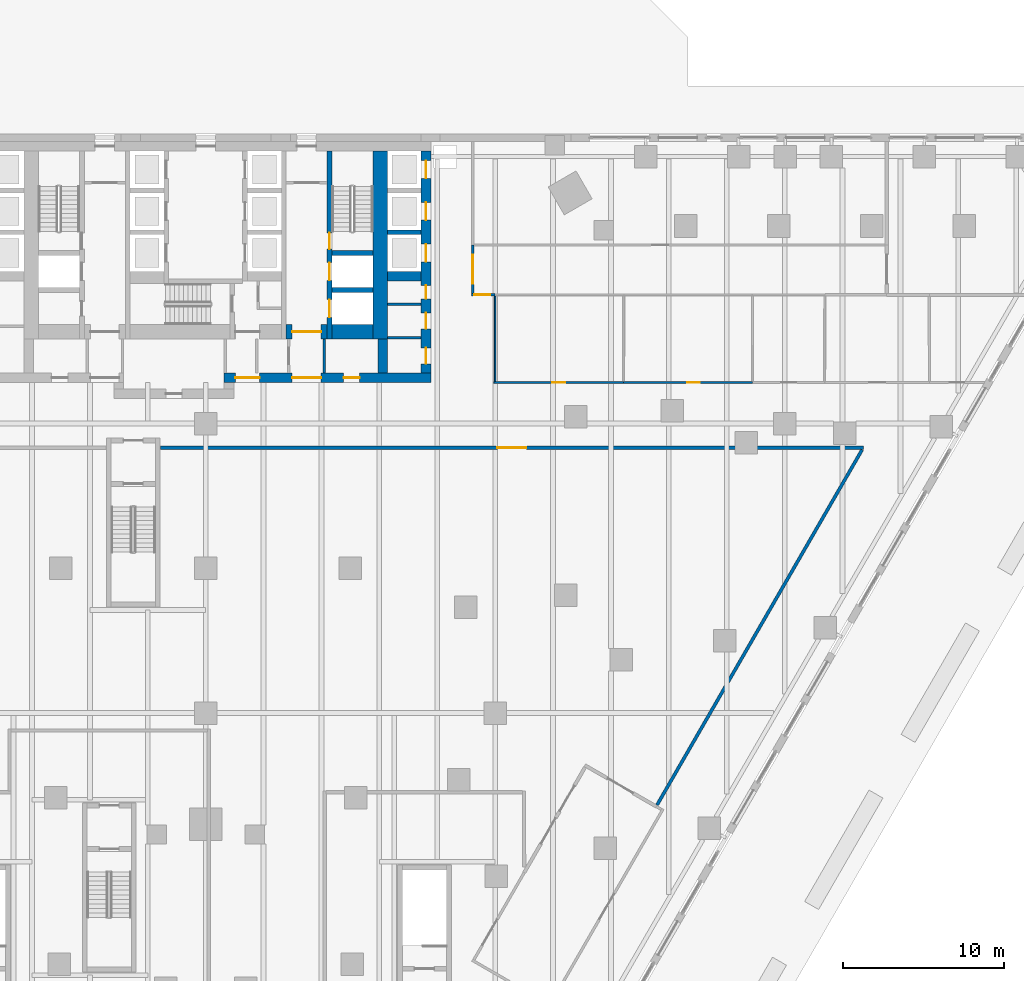
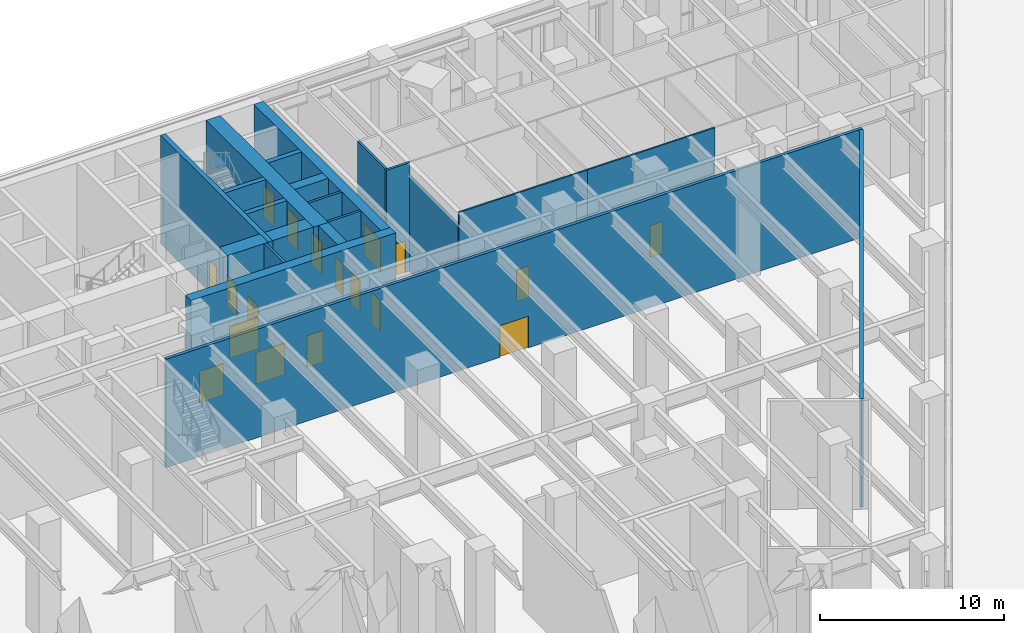
# One storey, part 31 of 37: 21 walls, 18 doors, 18 openings.
"""IFC4 building model written with IfcOpenShell, lengths in metres."""

from ifc_helpers import new_model, si_unit, direction, frame, frame_2d, origin, place, context, subcontext, project, spatial, rectangle, extrude, material, layer, layer_set, type_object, element, fill, save


model = new_model("IFC4")

# Units and contexts
model_context = context("Model", 3, precision=1e-05, world=origin(), true_north=direction((0.0, 1.0)))
body_context = subcontext(model_context, "Body", "Model", "MODEL_VIEW")
ifc_project = project(units=[si_unit("LENGTHUNIT", "METRE"), si_unit("AREAUNIT", "SQUARE_METRE"), si_unit("VOLUMEUNIT", "CUBIC_METRE"), si_unit("PLANEANGLEUNIT", "RADIAN"), si_unit("MASSUNIT", "GRAM", prefix="KILO")], contexts=[model_context])

# Site, building, storey
site_placement = place(None, origin())
site = spatial("IfcSite", under=ifc_project, at=site_placement, CompositionType="ELEMENT")
building_placement = place(site_placement, origin())
building = spatial("IfcBuilding", under=site, at=building_placement, Name="Aloe Facet Convention Tower", CompositionType="ELEMENT")
storey_placement = place(building_placement, origin())
storey = spatial("IfcBuildingStorey", under=building, at=storey_placement, Name="L00", CompositionType="ELEMENT", Elevation=0.0)

# Walls
ifc_material_1 = material(Name="Concrete blockwork partition", Category="masonry")
ifc_layer_1 = layer(ifc_material_1, 0.14990234375)
ifc_layer_set_1 = layer_set([ifc_layer_1], Name="CR-W-PART150")
wall_type_1 = type_object("IfcWallType", Name="CR-W-PART150", PredefinedType="PARTITIONING", material=ifc_layer_set_1)
wall_1_placement = place(storey_placement, frame((87.375, 122.25, 0.0), z_axis=(0.0, 0.0, 1.0), x_axis=(0.0, -1.0, 0.0)))
element("IfcWall", 1, at=wall_1_placement, inside=storey, type_object=wall_type_1, Name="Core partition L00-043", PredefinedType="PARTITIONING", context=body_context, shape_type="SweptSolid", body=[
    extrude(rectangle(XDim=2.10009765625, YDim=0.14990234375, at=frame_2d((1.050048828125, 0.0))), origin(), (0.0, 0.0, 1.0), 7.199951171875),
])
for number, where, z_axis, x_axis, name in (
    (2, (91.300048828125, 124.425048828125, 0.0), (0.0, 0.0, 1.0), (1.0, 0.0, 0.0), "Core partition L00-053"),
    (3, (91.300048828125, 122.346435546875, 0.0), (0.0, 0.0, 1.0), (1.0, 0.0, 0.0), "Core partition L00-054"),
):
    element("IfcWall", number, at=place(storey_placement, frame(where, z_axis=z_axis, x_axis=x_axis)), inside=storey, type_object=wall_type_1, Name=name, PredefinedType="PARTITIONING", context=body_context, shape_type="SweptSolid", body=[
        extrude(rectangle(XDim=2.099853515625, YDim=0.14990234375, at=frame_2d((1.0498046875, 0.0))), origin(), (0.0, 0.0, 1.0), 7.199951171875),
    ])

# Wall, openings, doors
ifc_material_2 = material(Name="Concrete C80/95", Category="concrete")
ifc_layer_2 = layer(ifc_material_2, 0.300048828125)
ifc_layer_set_2 = layer_set([ifc_layer_2], Name="CR-W-RC300-C8095")
wall_type_2 = type_object("IfcWallType", Name="CR-W-RC300-C8095", PredefinedType="SOLIDWALL", material=ifc_layer_set_2)
wall_2_placement = place(storey_placement, frame((87.699951171875, 133.949951171875, 0.0), z_axis=(0.0, 0.0, 1.0), x_axis=(0.0, -1.0, 0.0)))
wall_2 = element("IfcWall", 4, at=wall_2_placement, inside=storey, type_object=wall_type_2, Name="Core wall L00-044", PredefinedType="SOLIDWALL", context=body_context, shape_type="SweptSolid", body=[
    extrude(rectangle(XDim=11.699951171875, YDim=0.300048828125, at=frame_2d((5.85009765625, 0.0))), origin(), (0.0, 0.0, 1.0), 7.199951171875),
])
opening_1_placement = place(wall_2_placement, frame((6.949951171875, 0.0, 0.0)))
opening_1 = element("IfcOpeningElement", 5, at=opening_1_placement, cuts=wall_2, Name="Opening LD-FF2-L00", PredefinedType="OPENING", context=body_context, shape_type="SweptSolid", body=[
    extrude(rectangle(XDim=1.10009765625, YDim=2.10009765625, at=frame_2d((0.550048828125, 1.050048828125))), frame((0.0, 0.16015625, 0.0), z_axis=(0.0, -1.0, 0.0), x_axis=(1.0, 0.0, 0.0)), (0.0, 0.0, 1.0), 0.320068359375),
])
opening_2_placement = place(wall_2_placement, frame((5.10009765625, 0.0, 0.0)))
opening_2 = element("IfcOpeningElement", 6, at=opening_2_placement, cuts=wall_2, Name="Opening L00-CD33", PredefinedType="OPENING", context=body_context, shape_type="SweptSolid", body=[
    extrude(rectangle(XDim=1.0, YDim=2.10009765625, at=frame_2d((0.5, 1.050048828125))), frame((0.0, 0.16015625, 0.0), z_axis=(0.0, -1.0, 0.0), x_axis=(1.0, 0.0, 0.0)), (0.0, 0.0, 1.0), 0.320068359375),
])
opening_3_placement = place(wall_2_placement, frame((9.25, 0.0, 0.0)))
opening_3 = element("IfcOpeningElement", 7, at=opening_3_placement, cuts=wall_2, Name="Opening LD-SV1-L00", PredefinedType="OPENING", context=body_context, shape_type="SweptSolid", body=[
    extrude(rectangle(XDim=1.10009765625, YDim=2.10009765625, at=frame_2d((0.550048828125, 1.050048828125))), frame((0.0, 0.16015625, 0.0), z_axis=(0.0, -1.0, 0.0), x_axis=(1.0, 0.0, 0.0)), (0.0, 0.0, 1.0), 0.320068359375),
])
ifc_material_3 = material(Name="Steel fire-resisting door set FD120", Category="steel")
door_type_1 = type_object("IfcDoorType", Name="CR-D-STAIR-1000-FD120-SLEFT", OperationType="SINGLE_SWING_LEFT", PredefinedType="DOOR", material=ifc_material_3)
door_1_placement = place(opening_2_placement, origin())
door_1 = element("IfcDoor", 8, at=door_1_placement, inside=storey, type_object=door_type_1, Name="Core door L00-CD33", OperationType="SINGLE_SWING_LEFT", OverallHeight=2.10009765625, OverallWidth=1.0, PredefinedType="DOOR", context=body_context, shape_type="SweptSolid", body=[
    extrude(rectangle(XDim=1.0, YDim=2.10009765625, at=frame_2d((0.5, 1.050048828125))), frame((0.0, 0.02490234375, 0.0), z_axis=(0.0, -1.0, 0.0), x_axis=(1.0, 0.0, 0.0)), (0.0, 0.0, 1.0), 0.050048828125),
])
fill(opening_2, door_1)
ifc_material_4 = material(Name="Stainless steel sliding landing door", Category="steel")
door_type_2 = type_object("IfcDoorType", Name="CR-LD-1100-FD120-_LEFT", OperationType="SLIDING_TO_LEFT", PredefinedType="DOOR", material=ifc_material_4)
door_2_placement = place(opening_1_placement, origin())
door_2 = element("IfcDoor", 9, at=door_2_placement, inside=storey, type_object=door_type_2, Name="Landing door FF2 L00", OperationType="SLIDING_TO_LEFT", OverallHeight=2.10009765625, OverallWidth=1.10009765625, PredefinedType="DOOR", context=body_context, shape_type="SweptSolid", body=[
    extrude(rectangle(XDim=1.10009765625, YDim=2.10009765625, at=frame_2d((0.550048828125, 1.050048828125))), frame((0.0, 0.02490234375, 0.0), z_axis=(0.0, -1.0, 0.0), x_axis=(1.0, 0.0, 0.0)), (0.0, 0.0, 1.0), 0.050048828125),
])
fill(opening_1, door_2)
door_3_placement = place(opening_3_placement, origin())
door_3 = element("IfcDoor", 10, at=door_3_placement, inside=storey, type_object=door_type_2, Name="Landing door SV1 L00", OperationType="SLIDING_TO_LEFT", OverallHeight=2.10009765625, OverallWidth=1.10009765625, PredefinedType="DOOR", context=body_context, shape_type="SweptSolid", body=[
    extrude(rectangle(XDim=1.10009765625, YDim=2.10009765625, at=frame_2d((0.550048828125, 1.050048828125))), frame((0.0, 0.02490234375, 0.0), z_axis=(0.0, -1.0, 0.0), x_axis=(1.0, 0.0, 0.0)), (0.0, 0.0, 1.0), 0.050048828125),
])
fill(opening_3, door_3)

# Walls
for number, where, z_axis, x_axis, name in (
    (11, (87.85009765625, 127.60009765625, 0.0), (0.0, 0.0, 1.0), (1.0, 0.0, 0.0), "Core wall L00-045"),
    (12, (87.85009765625, 125.300048828125, 0.0), (0.0, 0.0, 1.0), (1.0, 0.0, 0.0), "Core wall L00-046"),
):
    element("IfcWall", number, at=place(storey_placement, frame(where, z_axis=z_axis, x_axis=x_axis)), inside=storey, type_object=wall_type_2, Name=name, PredefinedType="SOLIDWALL", context=body_context, shape_type="SweptSolid", body=[
        extrude(rectangle(XDim=2.5498046875, YDim=0.300048828125, at=frame_2d((1.27490234375, 0.0))), origin(), (0.0, 0.0, 1.0), 7.199951171875),
    ])
wall_3_placement = place(storey_placement, frame((91.300048828125, 128.89990234375, 0.0), z_axis=(0.0, 0.0, 1.0), x_axis=(1.0, 0.0, 0.0)))
element("IfcWall", 13, at=wall_3_placement, inside=storey, type_object=wall_type_2, Name="Core wall L00-051", PredefinedType="SOLIDWALL", context=body_context, shape_type="SweptSolid", body=[
    extrude(rectangle(XDim=2.099853515625, YDim=0.300048828125, at=frame_2d((1.0498046875, 0.0))), origin(), (0.0, 0.0, 1.0), 7.199951171875),
])

# Wall, openings, doors
ifc_material_5 = material(Name="Concrete C80/95", Category="concrete")
ifc_layer_3 = layer(ifc_material_5, 0.60009765625)
ifc_layer_set_3 = layer_set([ifc_layer_3], Name="CR-W-RC600-C8095")
wall_type_3 = type_object("IfcWallType", Name="CR-W-RC600-C8095", PredefinedType="SOLIDWALL", material=ifc_layer_set_3)
wall_4_placement = place(storey_placement, frame((81.14990234375, 119.85009765625, 0.0), z_axis=(0.0, 0.0, 1.0), x_axis=(1.0, 0.0, 0.0)))
wall_4 = element("IfcWall", 14, at=wall_4_placement, inside=storey, type_object=wall_type_3, Name="Core wall L00-028", PredefinedType="SOLIDWALL", context=body_context, shape_type="SweptSolid", body=[
    extrude(rectangle(XDim=12.85009765625, YDim=0.60009765625, at=frame_2d((6.425048828125, 0.0))), origin(), (0.0, 0.0, 1.0), 7.199951171875),
])
opening_4_placement = place(wall_4_placement, frame((0.699951171875, 0.0, 0.0)))
opening_4 = element("IfcOpeningElement", 15, at=opening_4_placement, cuts=wall_4, Name="Opening L00-CD18", PredefinedType="OPENING", context=body_context, shape_type="SweptSolid", body=[
    extrude(rectangle(XDim=1.5, YDim=2.10009765625, at=frame_2d((0.75, 1.050048828125))), frame((0.0, 0.31005859375, 0.0), z_axis=(0.0, -1.0, 0.0), x_axis=(1.0, 0.0, 0.0)), (0.0, 0.0, 1.0), 0.6201171875),
])
opening_5_placement = place(wall_4_placement, frame((4.22509765625, 0.0, 0.0)))
opening_5 = element("IfcOpeningElement", 16, at=opening_5_placement, cuts=wall_4, Name="Opening L00-CD19", PredefinedType="OPENING", context=body_context, shape_type="SweptSolid", body=[
    extrude(rectangle(XDim=1.800048828125, YDim=2.10009765625, at=frame_2d((0.89990234375, 1.050048828125))), frame((0.0, 0.31005859375, 0.0), z_axis=(0.0, -1.0, 0.0), x_axis=(1.0, 0.0, 0.0)), (0.0, 0.0, 1.0), 0.6201171875),
])
opening_6_placement = place(wall_4_placement, frame((7.425048828125, 0.0, 0.0)))
opening_6 = element("IfcOpeningElement", 17, at=opening_6_placement, cuts=wall_4, Name="Opening L00-CD27", PredefinedType="OPENING", context=body_context, shape_type="SweptSolid", body=[
    extrude(rectangle(XDim=1.0, YDim=2.10009765625, at=frame_2d((0.5, 1.050048828125))), frame((0.0, 0.31005859375, 0.0), z_axis=(0.0, -1.0, 0.0), x_axis=(1.0, 0.0, 0.0)), (0.0, 0.0, 1.0), 0.6201171875),
])
ifc_material_6 = material(Name="Steel fire-resisting door set FD60", Category="steel")
door_type_3 = type_object("IfcDoorType", Name="CR-D-EXIT-1500-FD60-DD", OperationType="DOUBLE_DOOR_DOUBLE_SWING", PredefinedType="DOOR", material=ifc_material_6)
door_4_placement = place(opening_4_placement, origin())
door_4 = element("IfcDoor", 18, at=door_4_placement, inside=storey, type_object=door_type_3, Name="Core door L00-CD18", OperationType="DOUBLE_DOOR_DOUBLE_SWING", OverallHeight=2.10009765625, OverallWidth=1.5, PredefinedType="DOOR", context=body_context, shape_type="SweptSolid", body=[
    extrude(rectangle(XDim=1.5, YDim=2.10009765625, at=frame_2d((0.75, 1.050048828125))), frame((0.0, 0.02490234375, 0.0), z_axis=(0.0, -1.0, 0.0), x_axis=(1.0, 0.0, 0.0)), (0.0, 0.0, 1.0), 0.050048828125),
])
fill(opening_4, door_4)
ifc_material_7 = material(Name="Steel fire-resisting door set FD60", Category="steel")
door_type_4 = type_object("IfcDoorType", Name="CR-D-EXIT-1800-FD60-DD", OperationType="DOUBLE_DOOR_DOUBLE_SWING", PredefinedType="DOOR", material=ifc_material_7)
door_5_placement = place(opening_5_placement, origin())
door_5 = element("IfcDoor", 19, at=door_5_placement, inside=storey, type_object=door_type_4, Name="Core door L00-CD19", OperationType="DOUBLE_DOOR_DOUBLE_SWING", OverallHeight=2.10009765625, OverallWidth=1.800048828125, PredefinedType="DOOR", context=body_context, shape_type="SweptSolid", body=[
    extrude(rectangle(XDim=1.800048828125, YDim=2.10009765625, at=frame_2d((0.89990234375, 1.050048828125))), frame((0.0, 0.02490234375, 0.0), z_axis=(0.0, -1.0, 0.0), x_axis=(1.0, 0.0, 0.0)), (0.0, 0.0, 1.0), 0.050048828125),
])
fill(opening_5, door_5)
ifc_material_8 = material(Name="Steel fire-resisting door set FD60", Category="steel")
door_type_5 = type_object("IfcDoorType", Name="CR-D-ROOM-1000-FD60-SRIGHT", OperationType="SINGLE_SWING_RIGHT", PredefinedType="DOOR", material=ifc_material_8)
door_6_placement = place(opening_6_placement, origin())
door_6 = element("IfcDoor", 20, at=door_6_placement, inside=storey, type_object=door_type_5, Name="Core door L00-CD27", OperationType="SINGLE_SWING_RIGHT", OverallHeight=2.10009765625, OverallWidth=1.0, PredefinedType="DOOR", context=body_context, shape_type="SweptSolid", body=[
    extrude(rectangle(XDim=1.0, YDim=2.10009765625, at=frame_2d((0.5, 1.050048828125))), frame((0.0, 0.02490234375, 0.0), z_axis=(0.0, -1.0, 0.0), x_axis=(1.0, 0.0, 0.0)), (0.0, 0.0, 1.0), 0.050048828125),
])
fill(opening_6, door_6)

# Walls
wall_5_placement = place(storey_placement, frame((91.0, 122.25, 0.0), z_axis=(0.0, 0.0, 1.0), x_axis=(0.0, -1.0, 0.0)))
element("IfcWall", 21, at=wall_5_placement, inside=storey, type_object=wall_type_3, Name="Core wall L00-049", PredefinedType="SOLIDWALL", context=body_context, shape_type="SweptSolid", body=[
    extrude(rectangle(XDim=2.10009765625, YDim=0.60009765625, at=frame_2d((1.050048828125, 0.0))), origin(), (0.0, 0.0, 1.0), 7.199951171875),
])
wall_6_placement = place(storey_placement, frame((91.300048828125, 126.14990234375, 0.0), z_axis=(0.0, 0.0, 1.0), x_axis=(1.0, 0.0, 0.0)))
element("IfcWall", 22, at=wall_6_placement, inside=storey, type_object=wall_type_3, Name="Core wall L00-052", PredefinedType="SOLIDWALL", context=body_context, shape_type="SweptSolid", body=[
    extrude(rectangle(XDim=2.099853515625, YDim=0.60009765625, at=frame_2d((1.0498046875, 0.0))), origin(), (0.0, 0.0, 1.0), 7.199951171875),
])

# Wall, openings, doors
wall_7_placement = place(storey_placement, frame((93.699951171875, 133.949951171875, 0.0), z_axis=(0.0, 0.0, 1.0), x_axis=(0.0, -1.0, 0.0)))
wall_7 = element("IfcWall", 23, at=wall_7_placement, inside=storey, type_object=wall_type_3, Name="Core wall L00-055", PredefinedType="SOLIDWALL", context=body_context, shape_type="SweptSolid", body=[
    extrude(rectangle(XDim=13.800048828125, YDim=0.60009765625, at=frame_2d((6.89990234375, 0.0))), origin(), (0.0, 0.0, 1.0), 7.199951171875),
])
opening_7_placement = place(wall_7_placement, frame((0.60009765625, 0.0, 0.0)))
opening_7 = element("IfcOpeningElement", 24, at=opening_7_placement, cuts=wall_7, Name="Opening LD-A8-L00", PredefinedType="OPENING", context=body_context, shape_type="SweptSolid", body=[
    extrude(rectangle(XDim=1.10009765625, YDim=2.10009765625, at=frame_2d((0.550048828125, 1.050048828125))), frame((0.0, 0.31005859375, 0.0), z_axis=(0.0, -1.0, 0.0), x_axis=(1.0, 0.0, 0.0)), (0.0, 0.0, 1.0), 0.6201171875),
])
opening_8_placement = place(wall_7_placement, frame((10.064208984375, 0.0, 0.0)))
opening_8 = element("IfcOpeningElement", 25, at=opening_8_placement, cuts=wall_7, Name="Opening L00-CD09", PredefinedType="OPENING", context=body_context, shape_type="SweptSolid", body=[
    extrude(rectangle(XDim=1.0, YDim=2.10009765625, at=frame_2d((0.5, 1.050048828125))), frame((0.0, 0.31005859375, 0.0), z_axis=(0.0, -1.0, 0.0), x_axis=(1.0, 0.0, 0.0)), (0.0, 0.0, 1.0), 0.6201171875),
])
opening_9_placement = place(wall_7_placement, frame((8.35009765625, 0.0, 0.0)))
opening_9 = element("IfcOpeningElement", 26, at=opening_9_placement, cuts=wall_7, Name="Opening L00-CD10", PredefinedType="OPENING", context=body_context, shape_type="SweptSolid", body=[
    extrude(rectangle(XDim=0.85009765625, YDim=2.10009765625, at=frame_2d((0.425048828125, 1.050048828125))), frame((0.0, 0.31005859375, 0.0), z_axis=(0.0, -1.0, 0.0), x_axis=(1.0, 0.0, 0.0)), (0.0, 0.0, 1.0), 0.6201171875),
])
opening_10_placement = place(wall_7_placement, frame((12.2392578125, 0.0, 0.0)))
opening_10 = element("IfcOpeningElement", 27, at=opening_10_placement, cuts=wall_7, Name="Opening L00-CD11", PredefinedType="OPENING", context=body_context, shape_type="SweptSolid", body=[
    extrude(rectangle(XDim=1.0, YDim=2.10009765625, at=frame_2d((0.5, 1.050048828125))), frame((0.0, 0.31005859375, 0.0), z_axis=(0.0, -1.0, 0.0), x_axis=(1.0, 0.0, 0.0)), (0.0, 0.0, 1.0), 0.6201171875),
])
opening_11_placement = place(wall_7_placement, frame((3.199951171875, 0.0, 0.0)))
opening_11 = element("IfcOpeningElement", 28, at=opening_11_placement, cuts=wall_7, Name="Opening LD-SH3-L00", PredefinedType="OPENING", context=body_context, shape_type="SweptSolid", body=[
    extrude(rectangle(XDim=1.10009765625, YDim=2.10009765625, at=frame_2d((0.550048828125, 1.050048828125))), frame((0.0, 0.31005859375, 0.0), z_axis=(0.0, -1.0, 0.0), x_axis=(1.0, 0.0, 0.0)), (0.0, 0.0, 1.0), 0.6201171875),
])
opening_12_placement = place(wall_7_placement, frame((5.800048828125, 0.0, 0.0)))
opening_12 = element("IfcOpeningElement", 29, at=opening_12_placement, cuts=wall_7, Name="Opening LD-SH4-L00", PredefinedType="OPENING", context=body_context, shape_type="SweptSolid", body=[
    extrude(rectangle(XDim=1.10009765625, YDim=2.10009765625, at=frame_2d((0.550048828125, 1.050048828125))), frame((0.0, 0.31005859375, 0.0), z_axis=(0.0, -1.0, 0.0), x_axis=(1.0, 0.0, 0.0)), (0.0, 0.0, 1.0), 0.6201171875),
])
ifc_material_9 = material(Name="Steel fire-resisting door set FD60", Category="steel")
door_type_6 = type_object("IfcDoorType", Name="CR-D-ROOM-1000-FD60-SLEFT", OperationType="SINGLE_SWING_LEFT", PredefinedType="DOOR", material=ifc_material_9)
door_7_placement = place(opening_8_placement, origin())
door_7 = element("IfcDoor", 30, at=door_7_placement, inside=storey, type_object=door_type_6, Name="Core door L00-CD09", OperationType="SINGLE_SWING_LEFT", OverallHeight=2.10009765625, OverallWidth=1.0, PredefinedType="DOOR", context=body_context, shape_type="SweptSolid", body=[
    extrude(rectangle(XDim=1.0, YDim=2.10009765625, at=frame_2d((0.5, 1.050048828125))), frame((0.0, 0.02490234375, 0.0), z_axis=(0.0, -1.0, 0.0), x_axis=(1.0, 0.0, 0.0)), (0.0, 0.0, 1.0), 0.050048828125),
])
fill(opening_8, door_7)
door_8_placement = place(opening_10_placement, origin())
door_8 = element("IfcDoor", 31, at=door_8_placement, inside=storey, type_object=door_type_6, Name="Core door L00-CD11", OperationType="SINGLE_SWING_LEFT", OverallHeight=2.10009765625, OverallWidth=1.0, PredefinedType="DOOR", context=body_context, shape_type="SweptSolid", body=[
    extrude(rectangle(XDim=1.0, YDim=2.10009765625, at=frame_2d((0.5, 1.050048828125))), frame((0.0, 0.02490234375, 0.0), z_axis=(0.0, -1.0, 0.0), x_axis=(1.0, 0.0, 0.0)), (0.0, 0.0, 1.0), 0.050048828125),
])
fill(opening_10, door_8)
ifc_material_10 = material(Name="Steel fire-resisting door set FD60", Category="steel")
door_type_7 = type_object("IfcDoorType", Name="CR-D-ROOM-850-FD60-SLEFT", OperationType="SINGLE_SWING_LEFT", PredefinedType="DOOR", material=ifc_material_10)
door_9_placement = place(opening_9_placement, origin())
door_9 = element("IfcDoor", 32, at=door_9_placement, inside=storey, type_object=door_type_7, Name="Core door L00-CD10", OperationType="SINGLE_SWING_LEFT", OverallHeight=2.10009765625, OverallWidth=0.85009765625, PredefinedType="DOOR", context=body_context, shape_type="SweptSolid", body=[
    extrude(rectangle(XDim=0.85009765625, YDim=2.10009765625, at=frame_2d((0.425048828125, 1.050048828125))), frame((0.0, 0.02490234375, 0.0), z_axis=(0.0, -1.0, 0.0), x_axis=(1.0, 0.0, 0.0)), (0.0, 0.0, 1.0), 0.050048828125),
])
fill(opening_9, door_9)
ifc_material_11 = material(Name="Stainless steel sliding landing door", Category="steel")
door_type_8 = type_object("IfcDoorType", Name="CR-LD-1100-FD60-_LEFT", OperationType="SLIDING_TO_LEFT", PredefinedType="DOOR", material=ifc_material_11)
door_10_placement = place(opening_7_placement, origin())
door_10 = element("IfcDoor", 33, at=door_10_placement, inside=storey, type_object=door_type_8, Name="Landing door A8 L00", OperationType="SLIDING_TO_LEFT", OverallHeight=2.10009765625, OverallWidth=1.10009765625, PredefinedType="DOOR", context=body_context, shape_type="SweptSolid", body=[
    extrude(rectangle(XDim=1.10009765625, YDim=2.10009765625, at=frame_2d((0.550048828125, 1.050048828125))), frame((0.0, 0.02490234375, 0.0), z_axis=(0.0, -1.0, 0.0), x_axis=(1.0, 0.0, 0.0)), (0.0, 0.0, 1.0), 0.050048828125),
])
fill(opening_7, door_10)
door_11_placement = place(opening_11_placement, origin())
door_11 = element("IfcDoor", 34, at=door_11_placement, inside=storey, type_object=door_type_8, Name="Landing door SH3 L00", OperationType="SLIDING_TO_LEFT", OverallHeight=2.10009765625, OverallWidth=1.10009765625, PredefinedType="DOOR", context=body_context, shape_type="SweptSolid", body=[
    extrude(rectangle(XDim=1.10009765625, YDim=2.10009765625, at=frame_2d((0.550048828125, 1.050048828125))), frame((0.0, 0.02490234375, 0.0), z_axis=(0.0, -1.0, 0.0), x_axis=(1.0, 0.0, 0.0)), (0.0, 0.0, 1.0), 0.050048828125),
])
fill(opening_11, door_11)
door_12_placement = place(opening_12_placement, origin())
door_12 = element("IfcDoor", 35, at=door_12_placement, inside=storey, type_object=door_type_8, Name="Landing door SH4 L00", OperationType="SLIDING_TO_LEFT", OverallHeight=2.10009765625, OverallWidth=1.10009765625, PredefinedType="DOOR", context=body_context, shape_type="SweptSolid", body=[
    extrude(rectangle(XDim=1.10009765625, YDim=2.10009765625, at=frame_2d((0.550048828125, 1.050048828125))), frame((0.0, 0.02490234375, 0.0), z_axis=(0.0, -1.0, 0.0), x_axis=(1.0, 0.0, 0.0)), (0.0, 0.0, 1.0), 0.050048828125),
])
fill(opening_12, door_12)

# Wall, opening, door
ifc_material_12 = material(Name="Concrete C80/95", Category="concrete")
ifc_layer_4 = layer(ifc_material_12, 0.89990234375)
ifc_layer_set_4 = layer_set([ifc_layer_4], Name="CR-W-RC900-C8095")
wall_type_4 = type_object("IfcWallType", Name="CR-W-RC900-C8095", PredefinedType="SOLIDWALL", material=ifc_layer_set_4)
wall_8_placement = place(storey_placement, frame((85.0, 122.699951171875, 0.0), z_axis=(0.0, 0.0, 1.0), x_axis=(1.0, 0.0, 0.0)))
wall_8 = element("IfcWall", 36, at=wall_8_placement, inside=storey, type_object=wall_type_4, Name="Core wall L00-041", PredefinedType="SOLIDWALL", context=body_context, shape_type="SweptSolid", body=[
    extrude(rectangle(XDim=2.550048828125, YDim=0.89990234375, at=frame_2d((1.27490234375, 0.0))), origin(), (0.0, 0.0, 1.0), 7.199951171875),
])
opening_13_placement = place(wall_8_placement, frame((0.375, 0.0, 0.0)))
opening_13 = element("IfcOpeningElement", 37, at=opening_13_placement, cuts=wall_8, Name="Opening L00-CD14", PredefinedType="OPENING", context=body_context, shape_type="SweptSolid", body=[
    extrude(rectangle(XDim=1.800048828125, YDim=2.10009765625, at=frame_2d((0.89990234375, 1.050048828125))), frame((0.0, 0.4599609375, 0.0), z_axis=(0.0, -1.0, 0.0), x_axis=(1.0, 0.0, 0.0)), (0.0, 0.0, 1.0), 0.919921875),
])
ifc_material_13 = material(Name="Steel fire-resisting door set FD120", Category="steel")
door_type_9 = type_object("IfcDoorType", Name="CR-D-EXIT-1800-FD120-DD", OperationType="DOUBLE_DOOR_DOUBLE_SWING", PredefinedType="DOOR", material=ifc_material_13)
door_13_placement = place(opening_13_placement, origin())
door_13 = element("IfcDoor", 38, at=door_13_placement, inside=storey, type_object=door_type_9, Name="Core door L00-CD14", OperationType="DOUBLE_DOOR_DOUBLE_SWING", OverallHeight=2.10009765625, OverallWidth=1.800048828125, PredefinedType="DOOR", context=body_context, shape_type="SweptSolid", body=[
    extrude(rectangle(XDim=1.800048828125, YDim=2.10009765625, at=frame_2d((0.89990234375, 1.050048828125))), frame((0.0, 0.02490234375, 0.0), z_axis=(0.0, -1.0, 0.0), x_axis=(1.0, 0.0, 0.0)), (0.0, 0.0, 1.0), 0.050048828125),
])
fill(opening_13, door_13)

# Walls
wall_9_placement = place(storey_placement, frame((87.85009765625, 122.699951171875, 0.0), z_axis=(0.0, 0.0, 1.0), x_axis=(1.0, 0.0, 0.0)))
element("IfcWall", 39, at=wall_9_placement, inside=storey, type_object=wall_type_4, Name="Core wall L00-047", PredefinedType="SOLIDWALL", context=body_context, shape_type="SweptSolid", body=[
    extrude(rectangle(XDim=2.5498046875, YDim=0.89990234375, at=frame_2d((1.27490234375, 0.0))), origin(), (0.0, 0.0, 1.0), 7.199951171875),
])
wall_10_placement = place(storey_placement, frame((90.85009765625, 133.949951171875, 0.0), z_axis=(0.0, 0.0, 1.0), x_axis=(0.0, -1.0, 0.0)))
element("IfcWall", 40, at=wall_10_placement, inside=storey, type_object=wall_type_4, Name="Core wall L00-048", PredefinedType="SOLIDWALL", context=body_context, shape_type="SweptSolid", body=[
    extrude(rectangle(XDim=11.699951171875, YDim=0.89990234375, at=frame_2d((5.85009765625, 0.0))), origin(), (0.0, 0.0, 1.0), 7.199951171875),
])

# Wall, opening, door
ifc_material_14 = material(Name="Masonry blockwork wall, plastered", Category="masonry")
ifc_layer_5 = layer(ifc_material_14, 0.199951171875)
ifc_layer_set_5 = layer_set([ifc_layer_5], Name="IN-POD-W-ASSY")
wall_type_5 = type_object("IfcWallType", Name="IN-POD-W-ASSY", PredefinedType="PARTITIONING", material=ifc_layer_set_5)
wall_11_placement = place(storey_placement, frame((77.195068359375, 115.5, 0.0), z_axis=(0.0, 0.0, 1.0), x_axis=(1.0, 0.0, 0.0)))
wall_11 = element("IfcWall", 41, at=wall_11_placement, inside=storey, type_object=wall_type_5, Name="Partition L00-W040", PredefinedType="PARTITIONING", context=body_context, shape_type="SweptSolid", body=[
    extrude(rectangle(XDim=43.6982421875, YDim=0.199951171875, at=frame_2d((21.84912109375, 0.0))), origin(), (0.0, 0.0, 1.0), 7.199951171875),
])
opening_14_placement = place(wall_11_placement, frame((20.94921875, 0.0, 0.0)))
opening_14 = element("IfcOpeningElement", 42, at=opening_14_placement, cuts=wall_11, Name="Opening L00-020", PredefinedType="OPENING", context=body_context, shape_type="SweptSolid", body=[
    extrude(rectangle(XDim=1.800048828125, YDim=2.10009765625, at=frame_2d((0.89990234375, 1.050048828125))), frame((0.0, 0.10986328125, 0.0), z_axis=(0.0, -1.0, 0.0), x_axis=(1.0, 0.0, 0.0)), (0.0, 0.0, 1.0), 0.219970703125),
])
ifc_material_15 = material(Name="Hardwood flush door pair", Category="wood")
door_type_10 = type_object("IfcDoorType", Name="IN-POD-D-PAIR", OperationType="DOUBLE_DOOR_SINGLE_SWING", PredefinedType="DOOR", material=ifc_material_15)
door_14_placement = place(opening_14_placement, origin())
door_14 = element("IfcDoor", 43, at=door_14_placement, inside=storey, type_object=door_type_10, Name="Door L00-020", OperationType="SINGLE_SWING_LEFT", OverallHeight=2.10009765625, OverallWidth=1.800048828125, PredefinedType="DOOR", context=body_context, shape_type="SweptSolid", body=[
    extrude(rectangle(XDim=1.800048828125, YDim=2.10009765625, at=frame_2d((0.89990234375, 1.050048828125))), frame((0.0, 0.02490234375, 0.0), z_axis=(0.0, -1.0, 0.0), x_axis=(1.0, 0.0, 0.0)), (0.0, 0.0, 1.0), 0.050048828125),
])
fill(opening_14, door_14)

# Wall
wall_12_placement = place(storey_placement, frame((108.065673828125, 93.28173828125, 0.0), z_axis=(0.0, 0.0, 1.0), x_axis=(0.500000136489, 0.866025324982, 0.0)))
element("IfcWall", 44, at=wall_12_placement, inside=storey, type_object=wall_type_5, Name="Partition L00-W041", PredefinedType="PARTITIONING", context=body_context, shape_type="SweptSolid", body=[
    extrude(rectangle(XDim=25.49560546875, YDim=0.199951171875, at=frame_2d((12.747802734375, 0.0))), origin(), (0.0, 0.0, 1.0), 7.199951171875),
])

# Wall, opening, door
ifc_material_16 = material(Name="Gypsum board partition on steel studs, double layer", Category="steel")
ifc_layer_6 = layer(ifc_material_16, 0.14990234375)
ifc_layer_set_6 = layer_set([ifc_layer_6], Name="IN-POD-W-CORR")
wall_type_6 = type_object("IfcWallType", Name="IN-POD-W-CORR", PredefinedType="PARTITIONING", material=ifc_layer_set_6)
wall_13_placement = place(storey_placement, frame((96.525390625, 125.0, 0.0), z_axis=(0.0, 0.0, 1.0), x_axis=(1.0, 0.0, 0.0)))
wall_13 = element("IfcWall", 45, at=wall_13_placement, inside=storey, type_object=wall_type_6, Name="Partition L00-W058", PredefinedType="PARTITIONING", context=body_context, shape_type="SweptSolid", body=[
    extrude(rectangle(XDim=1.474609375, YDim=0.14990234375, at=frame_2d((0.7373046875, 0.0))), origin(), (0.0, 0.0, 1.0), 7.199951171875),
])
opening_15_placement = place(wall_13_placement, frame((0.184814453125, 0.0, 0.0)))
opening_15 = element("IfcOpeningElement", 46, at=opening_15_placement, cuts=wall_13, Name="Opening L00-007", PredefinedType="OPENING", context=body_context, shape_type="SweptSolid", body=[
    extrude(rectangle(XDim=1.0, YDim=2.10009765625, at=frame_2d((0.5, 1.050048828125))), frame((0.0, 0.0849609375, 0.0), z_axis=(0.0, -1.0, 0.0), x_axis=(1.0, 0.0, 0.0)), (0.0, 0.0, 1.0), 0.169921875),
])
ifc_material_17 = material(Name="Hardwood flush door", Category="wood")
door_type_11 = type_object("IfcDoorType", Name="IN-POD-D-WIDE", OperationType="SINGLE_SWING_LEFT", PredefinedType="DOOR", material=ifc_material_17)
door_15_placement = place(opening_15_placement, origin())
door_15 = element("IfcDoor", 47, at=door_15_placement, inside=storey, type_object=door_type_11, Name="Door L00-007", OperationType="SINGLE_SWING_LEFT", OverallHeight=2.10009765625, OverallWidth=1.0, PredefinedType="DOOR", context=body_context, shape_type="SweptSolid", body=[
    extrude(rectangle(XDim=1.0, YDim=2.10009765625, at=frame_2d((0.5, 1.050048828125))), frame((0.0, 0.02490234375, 0.0), z_axis=(0.0, -1.0, 0.0), x_axis=(1.0, 0.0, 0.0)), (0.0, 0.0, 1.0), 0.050048828125),
])
fill(opening_15, door_15)

wall_14_placement = place(storey_placement, frame((96.6005859375, 125.074951171875, 0.0), z_axis=(0.0, 0.0, 1.0), x_axis=(-0.000161407471, 0.999999986974, 0.0)))
wall_14 = element("IfcWall", 48, at=wall_14_placement, inside=storey, type_object=wall_type_6, Name="Partition L00-W068", PredefinedType="PARTITIONING", context=body_context, shape_type="SweptSolid", body=[
    extrude(rectangle(XDim=3.025146484375, YDim=0.14990234375, at=frame_2d((1.5126953125, 0.0))), origin(), (0.0, 0.0, 1.0), 7.199951171875),
])
opening_16_placement = place(wall_14_placement, frame((0.612548828125, 0.0, 0.0)))
opening_16 = element("IfcOpeningElement", 49, at=opening_16_placement, cuts=wall_14, Name="Opening L00-006", PredefinedType="OPENING", context=body_context, shape_type="SweptSolid", body=[
    extrude(rectangle(XDim=1.800048828125, YDim=2.10009765625, at=frame_2d((0.89990234375, 1.050048828125))), frame((0.0, 0.0849609375, 0.0), z_axis=(0.0, -1.0, 0.0), x_axis=(1.0, 0.0, 0.0)), (0.0, 0.0, 1.0), 0.169921875),
])
door_16_placement = place(opening_16_placement, origin())
door_16 = element("IfcDoor", 50, at=door_16_placement, inside=storey, type_object=door_type_10, Name="Door L00-006", OperationType="SINGLE_SWING_LEFT", OverallHeight=2.10009765625, OverallWidth=1.800048828125, PredefinedType="DOOR", context=body_context, shape_type="SweptSolid", body=[
    extrude(rectangle(XDim=1.800048828125, YDim=2.10009765625, at=frame_2d((0.89990234375, 1.050048828125))), frame((0.0, 0.02490234375, 0.0), z_axis=(0.0, -1.0, 0.0), x_axis=(1.0, 0.0, 0.0)), (0.0, 0.0, 1.0), 0.050048828125),
])
fill(opening_16, door_16)

ifc_material_18 = material(Name="Gypsum board partition on steel studs, moisture resistant", Category="steel")
ifc_layer_7 = layer(ifc_material_18, 0.10009765625)
ifc_layer_set_7 = layer_set([ifc_layer_7], Name="IN-POD-W-WET")
wall_type_7 = type_object("IfcWallType", Name="IN-POD-W-WET", PredefinedType="PARTITIONING", material=ifc_layer_set_7)
wall_15_placement = place(storey_placement, frame((97.925537109375, 119.550048828125, 0.0), z_axis=(0.0, 0.0, 1.0), x_axis=(1.0, 0.0, 0.0)))
wall_15 = element("IfcWall", 51, at=wall_15_placement, inside=storey, type_object=wall_type_7, Name="Partition L00-W045", PredefinedType="PARTITIONING", context=body_context, shape_type="SweptSolid", body=[
    extrude(rectangle(XDim=8.064453125, YDim=0.10009765625, at=frame_2d((4.0322265625, 0.0))), origin(), (0.0, 0.0, 1.0), 7.199951171875),
])
opening_17_placement = place(wall_15_placement, frame((3.63232421875, 0.0, 0.0)))
opening_17 = element("IfcOpeningElement", 52, at=opening_17_placement, cuts=wall_15, Name="Opening L00-009", PredefinedType="OPENING", context=body_context, shape_type="SweptSolid", body=[
    extrude(rectangle(XDim=0.800048828125, YDim=2.10009765625, at=frame_2d((0.39990234375, 1.050048828125))), frame((0.0, 0.06005859375, 0.0), z_axis=(0.0, -1.0, 0.0), x_axis=(1.0, 0.0, 0.0)), (0.0, 0.0, 1.0), 0.1201171875),
])
ifc_material_19 = material(Name="Timber flush door", Category="wood")
door_type_12 = type_object("IfcDoorType", Name="IN-POD-D-WC", OperationType="SINGLE_SWING_LEFT", PredefinedType="DOOR", material=ifc_material_19)
door_17_placement = place(opening_17_placement, origin())
door_17 = element("IfcDoor", 53, at=door_17_placement, inside=storey, type_object=door_type_12, Name="Door L00-009", OperationType="SINGLE_SWING_LEFT", OverallHeight=2.10009765625, OverallWidth=0.800048828125, PredefinedType="DOOR", context=body_context, shape_type="SweptSolid", body=[
    extrude(rectangle(XDim=0.800048828125, YDim=2.10009765625, at=frame_2d((0.39990234375, 1.050048828125))), frame((0.0, 0.02490234375, 0.0), z_axis=(0.0, -1.0, 0.0), x_axis=(1.0, 0.0, 0.0)), (0.0, 0.0, 1.0), 0.050048828125),
])
fill(opening_17, door_17)

wall_16_placement = place(storey_placement, frame((105.989990234375, 119.550048828125, 0.0), z_axis=(0.0, 0.0, 1.0), x_axis=(1.0, 0.0, 0.0)))
wall_16 = element("IfcWall", 54, at=wall_16_placement, inside=storey, type_object=wall_type_7, Name="Partition L00-W046", PredefinedType="PARTITIONING", context=body_context, shape_type="SweptSolid", body=[
    extrude(rectangle(XDim=8.02001953125, YDim=0.10009765625, at=frame_2d((4.010009765625, 0.0))), origin(), (0.0, 0.0, 1.0), 7.199951171875),
])
opening_18_placement = place(wall_16_placement, frame((3.94091796875, 0.0, 0.0)))
opening_18 = element("IfcOpeningElement", 55, at=opening_18_placement, cuts=wall_16, Name="Opening L00-010", PredefinedType="OPENING", context=body_context, shape_type="SweptSolid", body=[
    extrude(rectangle(XDim=0.800048828125, YDim=2.10009765625, at=frame_2d((0.39990234375, 1.050048828125))), frame((0.0, 0.06005859375, 0.0), z_axis=(0.0, -1.0, 0.0), x_axis=(1.0, 0.0, 0.0)), (0.0, 0.0, 1.0), 0.1201171875),
])
door_18_placement = place(opening_18_placement, origin())
door_18 = element("IfcDoor", 56, at=door_18_placement, inside=storey, type_object=door_type_12, Name="Door L00-010", OperationType="SINGLE_SWING_LEFT", OverallHeight=2.10009765625, OverallWidth=0.800048828125, PredefinedType="DOOR", context=body_context, shape_type="SweptSolid", body=[
    extrude(rectangle(XDim=0.800048828125, YDim=2.10009765625, at=frame_2d((0.39990234375, 1.050048828125))), frame((0.0, 0.02490234375, 0.0), z_axis=(0.0, -1.0, 0.0), x_axis=(1.0, 0.0, 0.0)), (0.0, 0.0, 1.0), 0.050048828125),
])
fill(opening_18, door_18)

# Wall
wall_17_placement = place(storey_placement, frame((98.00048828125, 119.625, 0.0), z_axis=(0.0, 0.0, 1.0), x_axis=(-9.2127689e-05, 0.999999995756, 0.0)))
element("IfcWall", 57, at=wall_17_placement, inside=storey, type_object=wall_type_7, Name="Partition L00-W059", PredefinedType="PARTITIONING", context=body_context, shape_type="SweptSolid", body=[
    extrude(rectangle(XDim=5.300048828125, YDim=0.10009765625, at=frame_2d((2.64990234375, 0.0))), origin(), (0.0, 0.0, 1.0), 6.339111328125),
])

save(model, "model.ifc")
